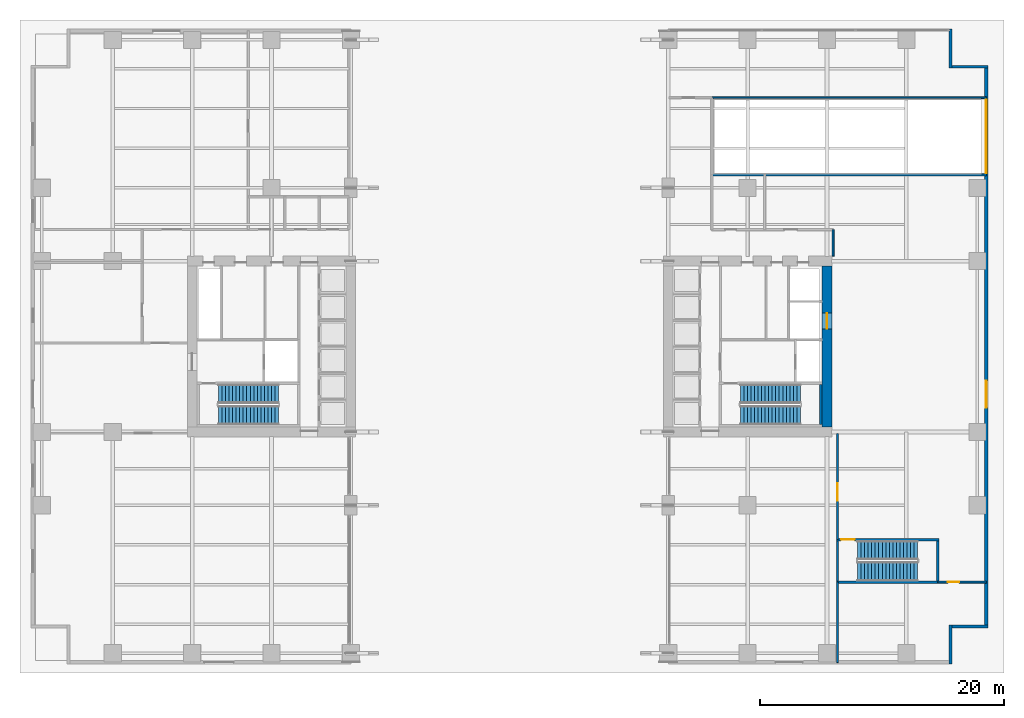
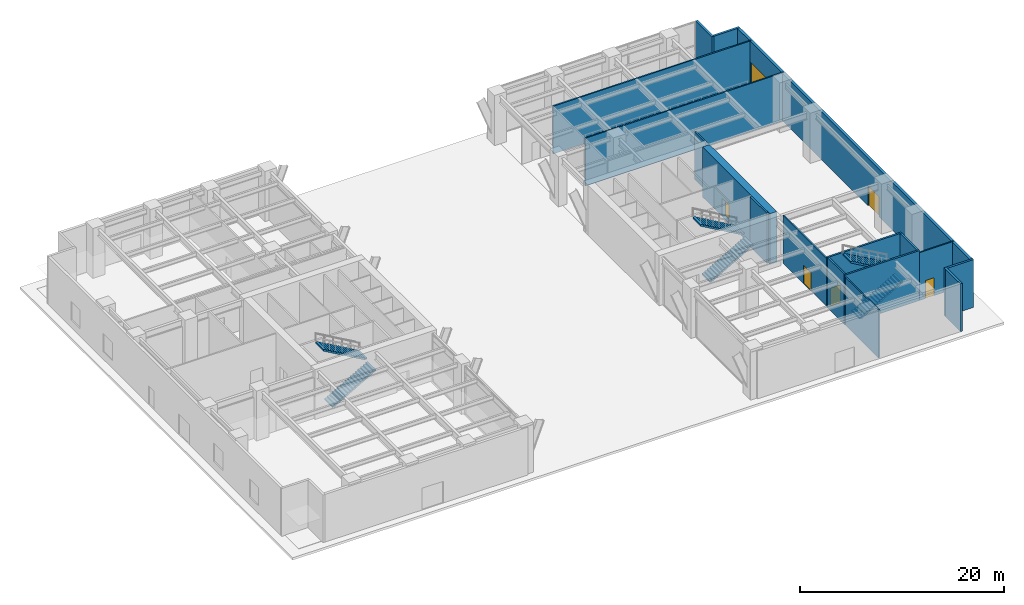
# One storey, part 15 of 20: 17 walls, 6 doors, 6 stair flights, 6 openings, 3 elements without a shape of their own.
"""IFC4 building model written with IfcOpenShell, lengths in metres."""

from ifc_helpers import new_model, si_unit, direction, frame, frame_2d, origin, place, context, subcontext, project, spatial, polyline, rectangle, outline, extrude, material, layer, layer_set, type_object, element, fill, aggregate, save


model = new_model("IFC4")

# Units and contexts
model_context = context("Model", 3, precision=1e-05, world=origin(), true_north=direction((0.0, 1.0)))
body_context = subcontext(model_context, "Body", "Model", "MODEL_VIEW")
ifc_project = project(units=[si_unit("LENGTHUNIT", "METRE"), si_unit("AREAUNIT", "SQUARE_METRE"), si_unit("VOLUMEUNIT", "CUBIC_METRE"), si_unit("PLANEANGLEUNIT", "RADIAN"), si_unit("MASSUNIT", "GRAM", prefix="KILO")], contexts=[model_context])

# Site, building, storey
site_placement = place(None, origin())
site = spatial("IfcSite", under=ifc_project, at=site_placement, CompositionType="ELEMENT")
building_placement = place(site_placement, origin())
building = spatial("IfcBuilding", under=site, at=building_placement, Name="Putna Gate Headquarters", CompositionType="ELEMENT")
storey_placement = place(building_placement, origin())
storey = spatial("IfcBuildingStorey", under=building, at=storey_placement, Name="L00", CompositionType="ELEMENT", Elevation=0.0)

# Wall, opening, door
ifc_material_1 = material(Name="Concrete C60/75", Category="concrete")
ifc_layer_1 = layer(ifc_material_1, 0.800048828125)
ifc_layer_set_1 = layer_set([ifc_layer_1], Name="Concrete C60/75")
wall_type_1 = type_object("IfcWallType", Name="WALL-CORE-800", PredefinedType="SHEAR", material=ifc_layer_set_1)
wall_1_placement = place(storey_placement, frame((65.0, 19.39990234375, 0.0), z_axis=(0.0, 0.0, 1.0), x_axis=(0.0, 1.0, 0.0)))
wall_1 = element("IfcWall", 1, at=wall_1_placement, inside=storey, type_object=wall_type_1, Name="L00 EC Split Core Shear Wall E", PredefinedType="SHEAR", context=body_context, shape_type="SweptSolid", body=[
    extrude(rectangle(XDim=13.2001953125, YDim=0.800048828125, at=frame_2d((6.60009765625, 0.0))), origin(), (0.0, 0.0, 1.0), 6.0),
])
opening_1_placement = place(wall_1_placement, frame((8.050048828125, 0.0, 0.0)))
opening_1 = element("IfcOpeningElement", 2, at=opening_1_placement, cuts=wall_1, Name="Opening LD-2", PredefinedType="OPENING", context=body_context, shape_type="SweptSolid", body=[
    extrude(rectangle(XDim=1.300048828125, YDim=2.199951171875, at=frame_2d((0.64990234375, 1.10009765625))), frame((0.0, 0.409912109375, 0.0), z_axis=(0.0, -1.0, 0.0), x_axis=(1.0, 0.0, 0.0)), (0.0, 0.0, 1.0), 0.820068359375),
])
ifc_material_2 = material(Name="Heavy-duty goods lift sliding landing door")
door_type_1 = type_object("IfcDoorType", Name="DOOR-LIFT-1300", OperationType="DOUBLE_DOOR_SLIDING", PredefinedType="DOOR", material=ifc_material_2)
door_1_placement = place(opening_1_placement, origin())
door_1 = element("IfcDoor", 3, at=door_1_placement, inside=storey, type_object=door_type_1, Name="L00 Goods Lift Landing Door LD-15", OperationType="DOUBLE_DOOR_SLIDING", OverallHeight=2.199951171875, OverallWidth=1.300048828125, PredefinedType="DOOR", context=body_context, shape_type="SweptSolid", body=[
    extrude(rectangle(XDim=1.300048828125, YDim=2.199951171875, at=frame_2d((0.64990234375, 1.10009765625))), frame((0.0, 0.02490234375, 0.0), z_axis=(0.0, -1.0, 0.0), x_axis=(1.0, 0.0, 0.0)), (0.0, 0.0, 1.0), 0.050048828125),
])
fill(opening_1, door_1)

# Wall, openings, doors
ifc_material_3 = material(Name="Precast concrete C40/50", Category="concrete")
ifc_layer_2 = layer(ifc_material_3, 0.300048828125)
ifc_layer_set_2 = layer_set([ifc_layer_2], Name="Precast concrete C40/50")
wall_type_2 = type_object("IfcWallType", Name="WALL-EXT-POD-300", PredefinedType="STANDARD", material=ifc_layer_set_2)
wall_2_placement = place(storey_placement, frame((78.050048828125, 48.800048828125, 0.0), z_axis=(0.0, 0.0, 1.0), x_axis=(0.0, -1.0, 0.0)))
wall_2 = element("IfcWall", 4, at=wall_2_placement, inside=storey, type_object=wall_type_2, Name="L00 East Exterior Precast and Ramp Gate Wall", PredefinedType="STANDARD", context=body_context, shape_type="SweptSolid", body=[
    extrude(rectangle(XDim=45.60009765625, YDim=0.300048828125, at=frame_2d((22.800048828125, 0.0))), origin(), (0.0, 0.0, 1.0), 5.719970703125),
])
opening_2_placement = place(wall_2_placement, frame((2.60009765625, 0.0, 0.0)))
opening_2 = element("IfcOpeningElement", 5, at=opening_2_placement, cuts=wall_2, Name="Opening VG-01", PredefinedType="OPENING", context=body_context, shape_type="SweptSolid", body=[
    extrude(rectangle(XDim=6.0, YDim=3.199951171875, at=frame_2d((3.0, 1.60009765625))), frame((0.0, 0.159912109375, 0.0), z_axis=(0.0, -1.0, 0.0), x_axis=(1.0, 0.0, 0.0)), (0.0, 0.0, 1.0), 0.320068359375),
])
opening_3_placement = place(wall_2_placement, frame((25.60009765625, 0.0, 0.0)))
opening_3 = element("IfcOpeningElement", 6, at=opening_3_placement, cuts=wall_2, Name="Opening ED-04", PredefinedType="OPENING", context=body_context, shape_type="SweptSolid", body=[
    extrude(rectangle(XDim=2.199951171875, YDim=2.39990234375, at=frame_2d((1.10009765625, 1.199951171875))), frame((0.0, 0.159912109375, 0.0), z_axis=(0.0, -1.0, 0.0), x_axis=(1.0, 0.0, 0.0)), (0.0, 0.0, 1.0), 0.320068359375),
])
ifc_material_4 = material(Name="Anodised bronze aluminium glazed exit door", Category="aluminium")
door_type_2 = type_object("IfcDoorType", Name="DOOR-FINAL-ED-04", OperationType="DOUBLE_DOOR_SINGLE_SWING", PredefinedType="DOOR", material=ifc_material_4)
door_2_placement = place(opening_3_placement, origin())
door_2 = element("IfcDoor", 7, at=door_2_placement, inside=storey, type_object=door_type_2, Name="L00 Final Exit Discharge Door ED-04", OperationType="DOUBLE_DOOR_SINGLE_SWING", OverallHeight=2.39990234375, OverallWidth=2.199951171875, PredefinedType="DOOR", context=body_context, shape_type="SweptSolid", body=[
    extrude(rectangle(XDim=2.199951171875, YDim=2.39990234375, at=frame_2d((1.10009765625, 1.199951171875))), frame((0.0, 0.02490234375, 0.0), z_axis=(0.0, -1.0, 0.0), x_axis=(1.0, 0.0, 0.0)), (0.0, 0.0, 1.0), 0.050048828125),
])
fill(opening_3, door_2)
ifc_material_5 = material(Name="Anodised bronze insulated roller shutter gate")
door_type_3 = type_object("IfcDoorType", Name="DOOR-VEH-GATE-6000", OperationType="ROLLINGUP", PredefinedType="GATE", material=ifc_material_5)
door_3_placement = place(opening_2_placement, origin())
door_3 = element("IfcDoor", 8, at=door_3_placement, inside=storey, type_object=door_type_3, Name="L00 Car Park Vehicle Ramp Roller Shutter Gate VG-01", OperationType="ROLLINGUP", OverallHeight=3.199951171875, OverallWidth=6.0, PredefinedType="GATE", context=body_context, shape_type="SweptSolid", body=[
    extrude(rectangle(XDim=6.0, YDim=3.199951171875, at=frame_2d((3.0, 1.60009765625))), frame((0.0, 0.02490234375, 0.0), z_axis=(0.0, -1.0, 0.0), x_axis=(1.0, 0.0, 0.0)), (0.0, 0.0, 1.0), 0.050048828125),
])
fill(opening_2, door_3)

# Walls
ifc_layer_3 = layer(ifc_material_3, 0.239990234375)
ifc_layer_set_3 = layer_set([ifc_layer_3], Name="Precast concrete C40/50")
wall_type_3 = type_object("IfcWallType", Name="WALL-EXT-TERR-240", PredefinedType="STANDARD", material=ifc_layer_set_3)
for number, where, z_axis, x_axis, name in (
    (9, (75.1201171875, 52.0, 0.0), (0.0, 0.0, 1.0), (0.0, -1.0, 0.0), "L00 Corner Notch Return Wall NE-V"),
    (10, (75.0, 48.919921875, 0.0), (0.0, 0.0, 1.0), (1.0, 0.0, 0.0), "L00 Corner Notch Return Wall NE-H"),
    (11, (75.1201171875, 3.199951171875, 0.0), (0.0, 0.0, 1.0), (0.0, -1.0, 0.0), "L00 Corner Notch Return Wall SE-V"),
    (12, (78.199951171875, 3.080078125, 0.0), (0.0, 0.0, 1.0), (-1.0, 0.0, 0.0), "L00 Corner Notch Return Wall SE-H"),
):
    element("IfcWall", number, at=place(storey_placement, frame(where, z_axis=z_axis, x_axis=x_axis)), inside=storey, type_object=wall_type_3, Name=name, PredefinedType="STANDARD", context=body_context, shape_type="SweptSolid", body=[
        extrude(rectangle(XDim=3.199951171875, YDim=0.239990234375, at=frame_2d((1.60009765625, 0.0))), origin(), (0.0, 0.0, 1.0), 5.719970703125),
    ])
ifc_material_6 = material(Name="Concrete C40/50", Category="concrete")
ifc_layer_4 = layer(ifc_material_6, 0.159912109375)
ifc_layer_set_4 = layer_set([ifc_layer_4], Name="Concrete C40/50")
wall_type_4 = type_object("IfcWallType", Name="WALL-SHAFT-160", PredefinedType="STANDARD", material=ifc_layer_set_4)
wall_3_placement = place(storey_placement, frame((65.860107421875, 0.1201171875, 0.0), z_axis=(0.0, 0.0, 1.0), x_axis=(0.0, 1.0, 0.0)))
element("IfcWall", 13, at=wall_3_placement, inside=storey, type_object=wall_type_4, Name="L00 Interior Wall PART-L00-ESEC-W", PredefinedType="STANDARD", context=body_context, shape_type="SweptSolid", body=[
    extrude(rectangle(XDim=6.58984375, YDim=0.159912109375, at=frame_2d((3.294921875, 0.0))), origin(), (0.0, 0.0, 1.0), 5.719970703125),
])
for number, where, z_axis, x_axis, name in (
    (14, (55.580078125, 40.06005859375, 0.0), (0.0, 0.0, 1.0), (1.0, 0.0, 0.0), "L00 Interior Wall PART-L00-RAMP-S"),
    (15, (55.580078125, 46.3798828125, 0.0), (0.0, 0.0, 1.0), (1.0, 0.0, 0.0), "L00 Interior Wall PART-L00-RAMP-N"),
):
    element("IfcWall", number, at=place(storey_placement, frame(where, z_axis=z_axis, x_axis=x_axis)), inside=storey, type_object=wall_type_4, Name=name, PredefinedType="STANDARD", context=body_context, shape_type="SweptSolid", body=[
        extrude(rectangle(XDim=22.469970703125, YDim=0.159912109375, at=frame_2d((11.23486328125, 0.0))), origin(), (0.0, 0.0, 1.0), 5.719970703125),
    ])
wall_4_placement = place(storey_placement, frame((65.5, 33.39990234375, 0.0), z_axis=(0.0, 0.0, 1.0), x_axis=(0.0, 1.0, 0.0)))
element("IfcWall", 16, at=wall_4_placement, inside=storey, type_object=wall_type_4, Name="L00 Interior Wall PART-L00-EN-CAPE", PredefinedType="STANDARD", context=body_context, shape_type="SweptSolid", body=[
    extrude(rectangle(XDim=2.18017578125, YDim=0.159912109375, at=frame_2d((1.090087890625, 0.0))), origin(), (0.0, 0.0, 1.0), 5.719970703125),
])

# Wall, opening, door
wall_5_placement = place(storey_placement, frame((74.090087890625, 6.7099609375, 0.0), z_axis=(0.0, 0.0, 1.0), x_axis=(1.0, 0.0, 0.0)))
wall_5 = element("IfcWall", 17, at=wall_5_placement, inside=storey, type_object=wall_type_4, Name="L00 Interior Wall PART-L00-ESEC-N", PredefinedType="STANDARD", context=body_context, shape_type="SweptSolid", body=[
    extrude(rectangle(XDim=3.9599609375, YDim=0.159912109375, at=frame_2d((1.97998046875, 0.0))), origin(), (0.0, 0.0, 1.0), 5.719970703125),
])
opening_4_placement = place(wall_5_placement, frame((0.800048828125, 0.0, 0.0)))
opening_4 = element("IfcOpeningElement", 18, at=opening_4_placement, cuts=wall_5, Name="Opening IDS-95", PredefinedType="OPENING", context=body_context, shape_type="SweptSolid", body=[
    extrude(rectangle(XDim=0.949951171875, YDim=2.14990234375, at=frame_2d((0.47509765625, 1.074951171875))), frame((0.0, 0.08984375, 0.0), z_axis=(0.0, -1.0, 0.0), x_axis=(1.0, 0.0, 0.0)), (0.0, 0.0, 1.0), 0.179931640625),
])
ifc_material_7 = material(Name="Fire-rated service timber door", Category="wood")
door_type_4 = type_object("IfcDoorType", Name="DOOR-INT-950", OperationType="NOTDEFINED", PredefinedType="DOOR", material=ifc_material_7)
door_4_placement = place(opening_4_placement, origin())
door_4 = element("IfcDoor", 19, at=door_4_placement, inside=storey, type_object=door_type_4, Name="L00 Security Office Door", OperationType="SINGLE_SWING_RIGHT", OverallHeight=2.14990234375, OverallWidth=0.949951171875, PredefinedType="DOOR", context=body_context, shape_type="SweptSolid", body=[
    extrude(rectangle(XDim=0.949951171875, YDim=2.14990234375, at=frame_2d((0.47509765625, 1.074951171875))), frame((0.0, 0.02490234375, 0.0), z_axis=(0.0, -1.0, 0.0), x_axis=(1.0, 0.0, 0.0)), (0.0, 0.0, 1.0), 0.050048828125),
])
fill(opening_4, door_4)

wall_6_placement = place(storey_placement, frame((65.860107421875, 10.18994140625, 0.0), z_axis=(0.0, 0.0, 1.0), x_axis=(0.0, 1.0, 0.0)))
wall_6 = element("IfcWall", 20, at=wall_6_placement, inside=storey, type_object=wall_type_4, Name="L00 Interior Wall PART-L00-ELOB-E", PredefinedType="STANDARD", context=body_context, shape_type="SweptSolid", body=[
    extrude(rectangle(XDim=8.7099609375, YDim=0.159912109375, at=frame_2d((4.35498046875, 0.0))), origin(), (0.0, 0.0, 1.0), 5.719970703125),
])
opening_5_placement = place(wall_6_placement, frame((3.199951171875, 0.0, 0.0)))
opening_5 = element("IfcOpeningElement", 21, at=opening_5_placement, cuts=wall_6, Name="Opening FDD-140", PredefinedType="OPENING", context=body_context, shape_type="SweptSolid", body=[
    extrude(rectangle(XDim=1.39990234375, YDim=2.199951171875, at=frame_2d((0.699951171875, 1.10009765625))), frame((0.0, 0.08984375, 0.0), z_axis=(0.0, -1.0, 0.0), x_axis=(1.0, 0.0, 0.0)), (0.0, 0.0, 1.0), 0.179931640625),
])
ifc_material_8 = material(Name="Double steel fire door", Category="steel")
door_type_5 = type_object("IfcDoorType", Name="DOOR-FIRE-DBL-1400", OperationType="DOUBLE_DOOR_SINGLE_SWING", PredefinedType="DOOR", material=ifc_material_8)
door_5_placement = place(opening_5_placement, origin())
door_5 = element("IfcDoor", 22, at=door_5_placement, inside=storey, type_object=door_type_5, Name="L00 East Reception Exit Door", OperationType="SINGLE_SWING_RIGHT", OverallHeight=2.199951171875, OverallWidth=1.39990234375, PredefinedType="DOOR", context=body_context, shape_type="SweptSolid", body=[
    extrude(rectangle(XDim=1.39990234375, YDim=2.199951171875, at=frame_2d((0.699951171875, 1.10009765625))), frame((0.0, 0.02490234375, 0.0), z_axis=(0.0, -1.0, 0.0), x_axis=(1.0, 0.0, 0.0)), (0.0, 0.0, 1.0), 0.050048828125),
])
fill(opening_5, door_5)

# Walls
ifc_layer_5 = layer(ifc_material_6, 0.199951171875)
ifc_layer_set_5 = layer_set([ifc_layer_5], Name="Concrete C40/50")
wall_type_5 = type_object("IfcWallType", Name="WALL-SHAFT-RC200", PredefinedType="SHEAR", material=ifc_layer_set_5)
wall_7_placement = place(storey_placement, frame((64.489990234375, 19.610107421875, 0.0), z_axis=(0.0, 0.0, 1.0), x_axis=(0.0, 1.0, 0.0)))
element("IfcWall", 23, at=wall_7_placement, inside=storey, type_object=wall_type_5, Name="L00 Stair ST2 Structural Shaft Wall E", PredefinedType="SHEAR", context=body_context, shape_type="SweptSolid", body=[
    extrude(rectangle(XDim=3.27978515625, YDim=0.199951171875, at=frame_2d((1.639892578125, 0.0))), origin(), (0.0, 0.0, 1.0), 6.0),
])
wall_8_placement = place(storey_placement, frame((65.760009765625, 6.7099609375, 0.0), z_axis=(0.0, 0.0, 1.0), x_axis=(1.0, 0.0, 0.0)))
element("IfcWall", 24, at=wall_8_placement, inside=storey, type_object=wall_type_5, Name="L00 Stair ST3 Structural Shaft Wall S", PredefinedType="SHEAR", context=body_context, shape_type="SweptSolid", body=[
    extrude(rectangle(XDim=8.429931640625, YDim=0.199951171875, at=frame_2d((4.21484375, 0.0))), origin(), (0.0, 0.0, 1.0), 6.0),
])

# Wall, opening, door
wall_9_placement = place(storey_placement, frame((65.760009765625, 10.18994140625, 0.0), z_axis=(0.0, 0.0, 1.0), x_axis=(1.0, 0.0, 0.0)))
wall_9 = element("IfcWall", 25, at=wall_9_placement, inside=storey, type_object=wall_type_5, Name="L00 Stair ST3 Structural Shaft Wall N", PredefinedType="SHEAR", context=body_context, shape_type="SweptSolid", body=[
    extrude(rectangle(XDim=8.429931640625, YDim=0.199951171875, at=frame_2d((4.21484375, 0.0))), origin(), (0.0, 0.0, 1.0), 6.0),
])
opening_6_placement = place(wall_9_placement, frame((0.39990234375, 0.0, 0.0)))
opening_6 = element("IfcOpeningElement", 26, at=opening_6_placement, cuts=wall_9, Name="Opening FD-110", PredefinedType="OPENING", context=body_context, shape_type="SweptSolid", body=[
    extrude(rectangle(XDim=1.10009765625, YDim=2.14990234375, at=frame_2d((0.550048828125, 1.074951171875))), frame((0.0, 0.10986328125, 0.0), z_axis=(0.0, -1.0, 0.0), x_axis=(1.0, 0.0, 0.0)), (0.0, 0.0, 1.0), 0.219970703125),
])
ifc_material_9 = material(Name="Powder-coated steel fire door", Category="steel")
door_type_6 = type_object("IfcDoorType", Name="DOOR-FIRE-1100", OperationType="NOTDEFINED", PredefinedType="DOOR", material=ifc_material_9)
door_6_placement = place(opening_6_placement, origin())
door_6 = element("IfcDoor", 27, at=door_6_placement, inside=storey, type_object=door_type_6, Name="L00 Escape Stair ST3 Door", OperationType="SINGLE_SWING_RIGHT", OverallHeight=2.14990234375, OverallWidth=1.10009765625, PredefinedType="DOOR", context=body_context, shape_type="SweptSolid", body=[
    extrude(rectangle(XDim=1.10009765625, YDim=2.14990234375, at=frame_2d((0.550048828125, 1.074951171875))), frame((0.0, 0.02490234375, 0.0), z_axis=(0.0, -1.0, 0.0), x_axis=(1.0, 0.0, 0.0)), (0.0, 0.0, 1.0), 0.050048828125),
])
fill(opening_6, door_6)

# Walls
for number, where, z_axis, x_axis, name in (
    (28, (65.860107421875, 6.81005859375, 0.0), (0.0, 0.0, 1.0), (0.0, 1.0, 0.0), "L00 Stair ST3 Structural Shaft Wall W"),
    (29, (74.090087890625, 6.81005859375, 0.0), (0.0, 0.0, 1.0), (0.0, 1.0, 0.0), "L00 Stair ST3 Structural Shaft Wall E"),
):
    element("IfcWall", number, at=place(storey_placement, frame(where, z_axis=z_axis, x_axis=x_axis)), inside=storey, type_object=wall_type_5, Name=name, PredefinedType="SHEAR", context=body_context, shape_type="SweptSolid", body=[
        extrude(rectangle(XDim=3.280029296875, YDim=0.199951171875, at=frame_2d((1.64013671875, 0.0))), origin(), (0.0, 0.0, 1.0), 6.0),
    ])

# Stair, stair flights
stair_type_1 = type_object("IfcStairType", Name="STAIR-ST1", PredefinedType="HALF_TURN_STAIR", material=ifc_material_6)
stair_1_placement = place(storey_placement, origin())
stair_1 = element("IfcStair", 30, at=stair_1_placement, inside=storey, type_object=stair_type_1, Name="L00 West Core Exit Stair ST1", PredefinedType="HALF_TURN_STAIR")
stair_flight_type_1 = type_object("IfcStairFlightType", Name="FLIGHT-ST1", PredefinedType="STRAIGHT", material=ifc_material_6)
stair_flight_1_placement = place(storey_placement, frame((15.14990234375, 20.375, 0.0), z_axis=(0.0, 0.0, 1.0), x_axis=(1.0, 0.0, 0.0)))
stair_flight_1 = element("IfcStairFlight", 31, at=stair_flight_1_placement, type_object=stair_flight_type_1, Name="ST1 flight 1", NumberOfRisers=18, NumberOfTreads=17, PredefinedType="STRAIGHT", RiserHeight=0.166666667, TreadLength=0.29, context=body_context, shape_type="SweptSolid", body=[
    extrude(outline(polyline([(0.0, 0.0), (0.0, 0.166748046875), (0.2900390625, 0.166748046875), (0.2900390625, 0.333251953125), (0.580078125, 0.333251953125), (0.580078125, 0.5), (0.8701171875, 0.5), (0.8701171875, 0.666748046875), (1.159912109375, 0.666748046875), (1.159912109375, 0.833251953125), (1.449951171875, 0.833251953125), (1.449951171875, 1.0), (1.739990234375, 1.0), (1.739990234375, 1.166748046875), (2.030029296875, 1.166748046875), (2.030029296875, 1.333251953125), (2.320068359375, 1.333251953125), (2.320068359375, 1.5), (2.610107421875, 1.5), (2.610107421875, 1.666748046875), (2.89990234375, 1.666748046875), (2.89990234375, 1.833251953125), (3.18994140625, 1.833251953125), (3.18994140625, 2.0), (3.47998046875, 2.0), (3.47998046875, 2.166748046875), (3.77001953125, 2.166748046875), (3.77001953125, 2.333251953125), (4.06005859375, 2.333251953125), (4.06005859375, 2.5), (4.35009765625, 2.5), (4.35009765625, 2.666748046875), (4.639892578125, 2.666748046875), (4.639892578125, 2.833251953125), (4.929931640625, 2.833251953125), (4.929931640625, 3.0), (4.929931640625, 2.660400390625), (0.30078125, 0.0), (0.0, 0.0)])), frame((0.0, 0.77490234375, 0.0), z_axis=(0.0, -1.0, 0.0), x_axis=(1.0, 0.0, 0.0)), (0.0, 0.0, 1.0), 1.550048828125),
])
stair_flight_2_placement = place(storey_placement, frame((20.080078125, 22.125, 3.0), z_axis=(0.0, 0.0, 1.0), x_axis=(-1.0, 0.0, 0.0)))
stair_flight_2 = element("IfcStairFlight", 32, at=stair_flight_2_placement, type_object=stair_flight_type_1, Name="ST1 flight 2", NumberOfRisers=18, NumberOfTreads=17, PredefinedType="STRAIGHT", RiserHeight=0.166666667, TreadLength=0.29, context=body_context, shape_type="SweptSolid", body=[
    extrude(outline(polyline([(0.0, 0.0), (0.0, 0.166748046875), (0.2900390625, 0.166748046875), (0.2900390625, 0.333251953125), (0.580078125, 0.333251953125), (0.580078125, 0.5), (0.8701171875, 0.5), (0.8701171875, 0.666748046875), (1.159912109375, 0.666748046875), (1.159912109375, 0.833251953125), (1.449951171875, 0.833251953125), (1.449951171875, 1.0), (1.739990234375, 1.0), (1.739990234375, 1.166748046875), (2.030029296875, 1.166748046875), (2.030029296875, 1.333251953125), (2.320068359375, 1.333251953125), (2.320068359375, 1.5), (2.610107421875, 1.5), (2.610107421875, 1.666748046875), (2.89990234375, 1.666748046875), (2.89990234375, 1.833251953125), (3.18994140625, 1.833251953125), (3.18994140625, 2.0), (3.47998046875, 2.0), (3.47998046875, 2.166748046875), (3.77001953125, 2.166748046875), (3.77001953125, 2.333251953125), (4.06005859375, 2.333251953125), (4.06005859375, 2.5), (4.35009765625, 2.5), (4.35009765625, 2.666748046875), (4.639892578125, 2.666748046875), (4.639892578125, 2.833251953125), (4.929931640625, 2.833251953125), (4.929931640625, 3.0), (4.929931640625, 2.660400390625), (0.30078125, 0.0), (0.0, 0.0)])), frame((0.0, 0.77490234375, 0.0), z_axis=(0.0, -1.0, 0.0), x_axis=(1.0, 0.0, 0.0)), (0.0, 0.0, 1.0), 1.550048828125),
])
aggregate(stair_1, [stair_flight_1, stair_flight_2])

stair_type_2 = type_object("IfcStairType", Name="STAIR-ST2", PredefinedType="HALF_TURN_STAIR", material=ifc_material_6)
stair_2_placement = place(storey_placement, origin())
stair_2 = element("IfcStair", 33, at=stair_2_placement, inside=storey, type_object=stair_type_2, Name="L00 East Core Exit Stair ST2", PredefinedType="HALF_TURN_STAIR")
stair_flight_type_2 = type_object("IfcStairFlightType", Name="FLIGHT-ST2", PredefinedType="STRAIGHT", material=ifc_material_6)
stair_flight_3_placement = place(storey_placement, frame((57.89990234375, 20.375, 0.0), z_axis=(0.0, 0.0, 1.0), x_axis=(1.0, 0.0, 0.0)))
stair_flight_3 = element("IfcStairFlight", 34, at=stair_flight_3_placement, type_object=stair_flight_type_2, Name="ST2 flight 1", NumberOfRisers=18, NumberOfTreads=17, PredefinedType="STRAIGHT", RiserHeight=0.166666667, TreadLength=0.29, context=body_context, shape_type="SweptSolid", body=[
    extrude(outline(polyline([(0.0, 0.0), (0.0, 0.166748046875), (0.2900390625, 0.166748046875), (0.2900390625, 0.333251953125), (0.580078125, 0.333251953125), (0.580078125, 0.5), (0.8701171875, 0.5), (0.8701171875, 0.666748046875), (1.159912109375, 0.666748046875), (1.159912109375, 0.833251953125), (1.449951171875, 0.833251953125), (1.449951171875, 1.0), (1.739990234375, 1.0), (1.739990234375, 1.166748046875), (2.030029296875, 1.166748046875), (2.030029296875, 1.333251953125), (2.320068359375, 1.333251953125), (2.320068359375, 1.5), (2.610107421875, 1.5), (2.610107421875, 1.666748046875), (2.89990234375, 1.666748046875), (2.89990234375, 1.833251953125), (3.18994140625, 1.833251953125), (3.18994140625, 2.0), (3.47998046875, 2.0), (3.47998046875, 2.166748046875), (3.77001953125, 2.166748046875), (3.77001953125, 2.333251953125), (4.06005859375, 2.333251953125), (4.06005859375, 2.5), (4.35009765625, 2.5), (4.35009765625, 2.666748046875), (4.639892578125, 2.666748046875), (4.639892578125, 2.833251953125), (4.929931640625, 2.833251953125), (4.929931640625, 3.0), (4.929931640625, 2.660400390625), (0.30078125, 0.0), (0.0, 0.0)])), frame((0.0, 0.77490234375, 0.0), z_axis=(0.0, -1.0, 0.0), x_axis=(1.0, 0.0, 0.0)), (0.0, 0.0, 1.0), 1.550048828125),
])
stair_flight_4_placement = place(storey_placement, frame((62.830078125, 22.125, 3.0), z_axis=(0.0, 0.0, 1.0), x_axis=(-1.0, 0.0, 0.0)))
stair_flight_4 = element("IfcStairFlight", 35, at=stair_flight_4_placement, type_object=stair_flight_type_2, Name="ST2 flight 2", NumberOfRisers=18, NumberOfTreads=17, PredefinedType="STRAIGHT", RiserHeight=0.166666667, TreadLength=0.29, context=body_context, shape_type="SweptSolid", body=[
    extrude(outline(polyline([(0.0, 0.0), (0.0, 0.166748046875), (0.2900390625, 0.166748046875), (0.2900390625, 0.333251953125), (0.580078125, 0.333251953125), (0.580078125, 0.5), (0.8701171875, 0.5), (0.8701171875, 0.666748046875), (1.159912109375, 0.666748046875), (1.159912109375, 0.833251953125), (1.449951171875, 0.833251953125), (1.449951171875, 1.0), (1.739990234375, 1.0), (1.739990234375, 1.166748046875), (2.030029296875, 1.166748046875), (2.030029296875, 1.333251953125), (2.320068359375, 1.333251953125), (2.320068359375, 1.5), (2.610107421875, 1.5), (2.610107421875, 1.666748046875), (2.89990234375, 1.666748046875), (2.89990234375, 1.833251953125), (3.18994140625, 1.833251953125), (3.18994140625, 2.0), (3.47998046875, 2.0), (3.47998046875, 2.166748046875), (3.77001953125, 2.166748046875), (3.77001953125, 2.333251953125), (4.06005859375, 2.333251953125), (4.06005859375, 2.5), (4.35009765625, 2.5), (4.35009765625, 2.666748046875), (4.639892578125, 2.666748046875), (4.639892578125, 2.833251953125), (4.929931640625, 2.833251953125), (4.929931640625, 3.0), (4.929931640625, 2.660400390625), (0.30078125, 0.0), (0.0, 0.0)])), frame((0.0, 0.77490234375, 0.0), z_axis=(0.0, -1.0, 0.0), x_axis=(1.0, 0.0, 0.0)), (0.0, 0.0, 1.0), 1.550048828125),
])
aggregate(stair_2, [stair_flight_3, stair_flight_4])

stair_type_3 = type_object("IfcStairType", Name="STAIR-ST3", PredefinedType="HALF_TURN_STAIR", material=ifc_material_6)
stair_3_placement = place(storey_placement, origin())
stair_3 = element("IfcStair", 36, at=stair_3_placement, inside=storey, type_object=stair_type_3, Name="L00 Podium Escape Stair ST3", PredefinedType="HALF_TURN_STAIR")
stair_flight_type_3 = type_object("IfcStairFlightType", Name="FLIGHT-ST3", PredefinedType="STRAIGHT", material=ifc_material_6)
stair_flight_5_placement = place(storey_placement, frame((67.5, 7.574951171875, 0.0), z_axis=(0.0, 0.0, 1.0), x_axis=(1.0, 0.0, 0.0)))
stair_flight_5 = element("IfcStairFlight", 37, at=stair_flight_5_placement, type_object=stair_flight_type_3, Name="ST3 flight 1", NumberOfRisers=18, NumberOfTreads=17, PredefinedType="STRAIGHT", RiserHeight=0.166666667, TreadLength=0.29, context=body_context, shape_type="SweptSolid", body=[
    extrude(outline(polyline([(0.0, 0.0), (0.0, 0.166748046875), (0.2900390625, 0.166748046875), (0.2900390625, 0.333251953125), (0.580078125, 0.333251953125), (0.580078125, 0.5), (0.8701171875, 0.5), (0.8701171875, 0.666748046875), (1.159912109375, 0.666748046875), (1.159912109375, 0.833251953125), (1.449951171875, 0.833251953125), (1.449951171875, 1.0), (1.739990234375, 1.0), (1.739990234375, 1.166748046875), (2.030029296875, 1.166748046875), (2.030029296875, 1.333251953125), (2.320068359375, 1.333251953125), (2.320068359375, 1.5), (2.610107421875, 1.5), (2.610107421875, 1.666748046875), (2.89990234375, 1.666748046875), (2.89990234375, 1.833251953125), (3.18994140625, 1.833251953125), (3.18994140625, 2.0), (3.47998046875, 2.0), (3.47998046875, 2.166748046875), (3.77001953125, 2.166748046875), (3.77001953125, 2.333251953125), (4.06005859375, 2.333251953125), (4.06005859375, 2.5), (4.35009765625, 2.5), (4.35009765625, 2.666748046875), (4.639892578125, 2.666748046875), (4.639892578125, 2.833251953125), (4.929931640625, 2.833251953125), (4.929931640625, 3.0), (4.929931640625, 2.660400390625), (0.30078125, 0.0), (0.0, 0.0)])), frame((0.0, 0.77490234375, 0.0), z_axis=(0.0, -1.0, 0.0), x_axis=(1.0, 0.0, 0.0)), (0.0, 0.0, 1.0), 1.550048828125),
])
stair_flight_6_placement = place(storey_placement, frame((72.429931640625, 9.324951171875, 3.0), z_axis=(0.0, 0.0, 1.0), x_axis=(-1.0, 0.0, 0.0)))
stair_flight_6 = element("IfcStairFlight", 38, at=stair_flight_6_placement, type_object=stair_flight_type_3, Name="ST3 flight 2", NumberOfRisers=18, NumberOfTreads=17, PredefinedType="STRAIGHT", RiserHeight=0.166666667, TreadLength=0.29, context=body_context, shape_type="SweptSolid", body=[
    extrude(outline(polyline([(0.0, 0.0), (0.0, 0.166748046875), (0.2900390625, 0.166748046875), (0.2900390625, 0.333251953125), (0.580078125, 0.333251953125), (0.580078125, 0.5), (0.8701171875, 0.5), (0.8701171875, 0.666748046875), (1.159912109375, 0.666748046875), (1.159912109375, 0.833251953125), (1.449951171875, 0.833251953125), (1.449951171875, 1.0), (1.739990234375, 1.0), (1.739990234375, 1.166748046875), (2.030029296875, 1.166748046875), (2.030029296875, 1.333251953125), (2.320068359375, 1.333251953125), (2.320068359375, 1.5), (2.610107421875, 1.5), (2.610107421875, 1.666748046875), (2.89990234375, 1.666748046875), (2.89990234375, 1.833251953125), (3.18994140625, 1.833251953125), (3.18994140625, 2.0), (3.47998046875, 2.0), (3.47998046875, 2.166748046875), (3.77001953125, 2.166748046875), (3.77001953125, 2.333251953125), (4.06005859375, 2.333251953125), (4.06005859375, 2.5), (4.35009765625, 2.5), (4.35009765625, 2.666748046875), (4.639892578125, 2.666748046875), (4.639892578125, 2.833251953125), (4.929931640625, 2.833251953125), (4.929931640625, 3.0), (4.929931640625, 2.660400390625), (0.30078125, 0.0), (0.0, 0.0)])), frame((0.0, 0.77490234375, 0.0), z_axis=(0.0, -1.0, 0.0), x_axis=(1.0, 0.0, 0.0)), (0.0, 0.0, 1.0), 1.550048828125),
])
aggregate(stair_3, [stair_flight_5, stair_flight_6])

save(model, "model.ifc")
